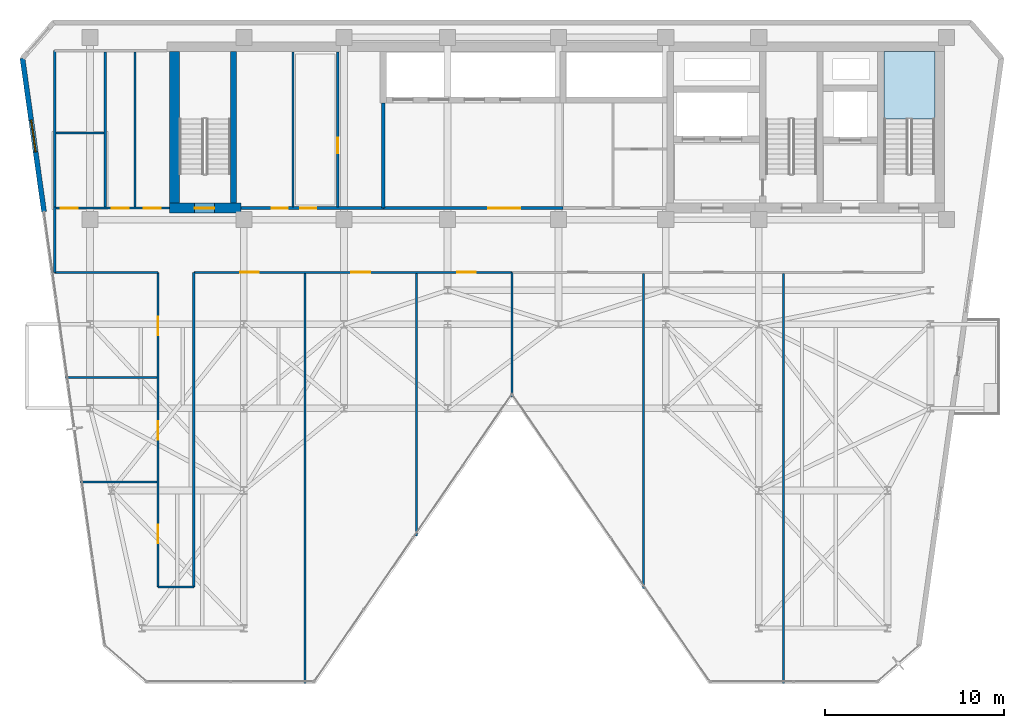
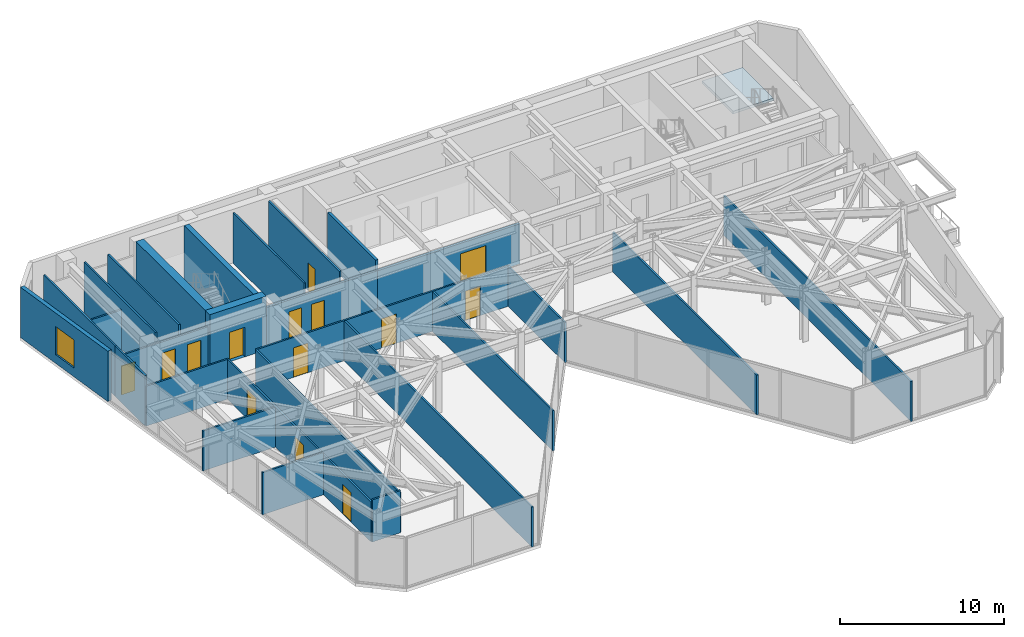
# One storey, part 22 of 27: 27 walls, 14 doors, 1 slab, 1 window, 15 openings, 1 element without a shape of its own.
"""IFC4 building model written with IfcOpenShell, lengths in metres."""

from ifc_helpers import new_model, si_unit, direction, frame, frame_2d, origin, place, context, subcontext, project, spatial, polyline, rectangle, outline, extrude, material, layer, layer_set, type_object, element, fill, aggregate, save


model = new_model("IFC4")

# Units and contexts
model_context = context("Model", 3, precision=1e-05, world=origin(), true_north=direction((0.0, 1.0)))
body_context = subcontext(model_context, "Body", "Model", "MODEL_VIEW")
ifc_project = project(units=[si_unit("LENGTHUNIT", "METRE"), si_unit("AREAUNIT", "SQUARE_METRE"), si_unit("VOLUMEUNIT", "CUBIC_METRE"), si_unit("PLANEANGLEUNIT", "RADIAN"), si_unit("MASSUNIT", "GRAM", prefix="KILO")], contexts=[model_context])

# Site, building, storey
site_placement = place(None, origin())
site = spatial("IfcSite", under=ifc_project, at=site_placement, CompositionType="ELEMENT")
building_placement = place(site_placement, origin())
building = spatial("IfcBuilding", under=site, at=building_placement, Name="Kravanh Interchange Tower", CompositionType="ELEMENT")
storey_placement = place(building_placement, frame((0.0, 0.0, 188.5)))
storey = spatial("IfcBuildingStorey", under=building, at=storey_placement, Name="L45", CompositionType="ELEMENT", Elevation=188.5)

# Stair, slab
ifc_material_1 = material(Name="Concrete C50/60", Category="concrete")
stair_type = type_object("IfcStairType", Name="Core Fire Exit Dogleg Stair Concrete C50/60", PredefinedType="HALF_TURN_STAIR", material=ifc_material_1)
stair_placement = place(storey_placement, origin())
stair = element("IfcStair", 1, at=stair_placement, inside=storey, type_object=stair_type, Name="L45 Exit Stair ST1", PredefinedType="HALF_TURN_STAIR")
ifc_material_2 = material(Name="Concrete C50/60", Category="concrete")
ifc_layer_1 = layer(ifc_material_2, 0.199951171875)
ifc_layer_set_1 = layer_set([ifc_layer_1], Name="Concrete C50/60 Stair Half-Landing Slab 200mm")
slab_type = type_object("IfcSlabType", Name="Concrete C50/60 Stair Half-Landing Slab 200mm", PredefinedType="LANDING", material=ifc_layer_set_1)
slab_placement = place(storey_placement, frame((0.0, 0.0, 1.800048828125)))
slab = element("IfcSlab", 2, at=slab_placement, type_object=slab_type, Name="ST1 landing 1", PredefinedType="LANDING", context=body_context, shape_type="SweptSolid", body=[
    extrude(outline(polyline([(65.85009765625, 42.97998046875), (65.85009765625, 46.75), (63.0, 46.75), (63.0, 42.97998046875), (65.85009765625, 42.97998046875)])), origin(), (0.0, 0.0, 1.0), 0.199951171875),
])
aggregate(stair, [slab])

# Wall
ifc_material_3 = material(Name="Double Acoustic Gypsum Board and Mineral Wool")
ifc_layer_2 = layer(ifc_material_3, 0.1201171875)
ifc_layer_set_2 = layer_set([ifc_layer_2], Name="Acoustic Office Drywall Partition 120mm")
wall_type_1 = type_object("IfcWallType", Name="Acoustic Office Drywall Partition 120mm", PredefinedType="PARTITIONING", material=ifc_layer_set_2)
wall_1_placement = place(storey_placement, frame((29.949951171875, 38.068115234375, 0.0), z_axis=(0.0, 0.0, 1.0), x_axis=(0.0, 1.0, 0.0)))
element("IfcWall", 3, at=wall_1_placement, inside=storey, type_object=wall_type_1, Name="L45 Interior Partition 6", PredefinedType="PARTITIONING", context=body_context, shape_type="SweptSolid", body=[
    extrude(rectangle(XDim=8.673828125, YDim=0.1201171875, at=frame_2d((4.3369140625, 0.0))), origin(), (0.0, 0.0, 1.0), 3.7548828125),
])

# Wall, opening, door
wall_2_placement = place(storey_placement, frame((32.449951171875, 38.068115234375, 0.0), z_axis=(0.0, 0.0, 1.0), x_axis=(0.0, 1.0, 0.0)))
wall_2 = element("IfcWall", 4, at=wall_2_placement, inside=storey, type_object=wall_type_1, Name="L45 Interior Partition 7", PredefinedType="PARTITIONING", context=body_context, shape_type="SweptSolid", body=[
    extrude(rectangle(XDim=8.673828125, YDim=0.1201171875, at=frame_2d((4.3369140625, 0.0))), origin(), (0.0, 0.0, 1.0), 3.7548828125),
])
opening_1_placement = place(wall_2_placement, frame((3.007080078125, 0.0, 0.0)))
opening_1 = element("IfcOpeningElement", 5, at=opening_1_placement, cuts=wall_2, Name="Opening D-85", PredefinedType="OPENING", context=body_context, shape_type="SweptSolid", body=[
    extrude(rectangle(XDim=0.85009765625, YDim=2.10009765625, at=frame_2d((0.425048828125, 1.050048828125))), frame((0.0, 0.070068359375, 0.0), z_axis=(0.0, -1.0, 0.0), x_axis=(1.0, 0.0, 0.0)), (0.0, 0.0, 1.0), 0.14013671875),
])
ifc_material_4 = material(Name="Engineered Teak Veneer Timber", Category="wood")
door_type_1 = type_object("IfcDoorType", Name="En-Suite Timber Door 850x2100", OperationType="NOTDEFINED", PredefinedType="DOOR", material=ifc_material_4)
door_1_placement = place(opening_1_placement, origin())
door_1 = element("IfcDoor", 6, at=door_1_placement, inside=storey, type_object=door_type_1, Name="L45 Supply Room Inner Door", OperationType="SINGLE_SWING_LEFT", OverallHeight=2.10009765625, OverallWidth=0.85009765625, PredefinedType="DOOR", context=body_context, shape_type="SweptSolid", body=[
    extrude(rectangle(XDim=0.85009765625, YDim=2.10009765625, at=frame_2d((0.425048828125, 1.050048828125))), frame((0.0, 0.02490234375, 0.0), z_axis=(0.0, -1.0, 0.0), x_axis=(1.0, 0.0, 0.0)), (0.0, 0.0, 1.0), 0.050048828125),
])
fill(opening_1, door_1)

# Wall, openings, doors
wall_3_placement = place(storey_placement, frame((16.6201171875, 38.0, 0.0), z_axis=(0.0, 0.0, 1.0), x_axis=(1.0, 0.0, 0.0)))
wall_3 = element("IfcWall", 7, at=wall_3_placement, inside=storey, type_object=wall_type_1, Name="L45 Restroom Corridor Wall 9", PredefinedType="PARTITIONING", context=body_context, shape_type="SweptSolid", body=[
    extrude(rectangle(XDim=6.429931640625, YDim=0.1201171875, at=frame_2d((3.21484375, 0.0))), origin(), (0.0, 0.0, 1.0), 2.98193359375),
])
opening_2_placement = place(wall_3_placement, frame((0.348876953125, 0.0, 0.0)))
opening_2 = element("IfcOpeningElement", 8, at=opening_2_placement, cuts=wall_3, Name="Opening D-95", PredefinedType="OPENING", context=body_context, shape_type="SweptSolid", body=[
    extrude(rectangle(XDim=0.949951171875, YDim=2.14990234375, at=frame_2d((0.47509765625, 1.074951171875))), frame((0.0, 0.070068359375, 0.0), z_axis=(0.0, -1.0, 0.0), x_axis=(1.0, 0.0, 0.0)), (0.0, 0.0, 1.0), 0.14013671875),
])
opening_3_placement = place(wall_3_placement, frame((3.18505859375, 0.0, 0.0)))
opening_3 = element("IfcOpeningElement", 9, at=opening_3_placement, cuts=wall_3, Name="Opening D-95", PredefinedType="OPENING", context=body_context, shape_type="SweptSolid", body=[
    extrude(rectangle(XDim=0.949951171875, YDim=2.14990234375, at=frame_2d((0.47509765625, 1.074951171875))), frame((0.0, 0.070068359375, 0.0), z_axis=(0.0, -1.0, 0.0), x_axis=(1.0, 0.0, 0.0)), (0.0, 0.0, 1.0), 0.14013671875),
])
opening_4_placement = place(wall_3_placement, frame((4.97509765625, 0.0, 0.0)))
opening_4 = element("IfcOpeningElement", 10, at=opening_4_placement, cuts=wall_3, Name="Opening D-95", PredefinedType="OPENING", context=body_context, shape_type="SweptSolid", body=[
    extrude(rectangle(XDim=0.949951171875, YDim=2.14990234375, at=frame_2d((0.47509765625, 1.074951171875))), frame((0.0, 0.070068359375, 0.0), z_axis=(0.0, -1.0, 0.0), x_axis=(1.0, 0.0, 0.0)), (0.0, 0.0, 1.0), 0.14013671875),
])
ifc_material_5 = material(Name="Laminate Solid-Core Timber", Category="wood")
door_type_2 = type_object("IfcDoorType", Name="Accessible Restroom Door 950x2150", OperationType="NOTDEFINED", PredefinedType="DOOR", material=ifc_material_5)
door_2_placement = place(opening_2_placement, origin())
door_2 = element("IfcDoor", 11, at=door_2_placement, inside=storey, type_object=door_type_2, Name="L45 Accessible WC Door", OperationType="SINGLE_SWING_RIGHT", OverallHeight=2.14990234375, OverallWidth=0.949951171875, PredefinedType="DOOR", context=body_context, shape_type="SweptSolid", body=[
    extrude(rectangle(XDim=0.949951171875, YDim=2.14990234375, at=frame_2d((0.47509765625, 1.074951171875))), frame((0.0, 0.02490234375, 0.0), z_axis=(0.0, -1.0, 0.0), x_axis=(1.0, 0.0, 0.0)), (0.0, 0.0, 1.0), 0.050048828125),
])
fill(opening_2, door_2)
door_3_placement = place(opening_3_placement, origin())
door_3 = element("IfcDoor", 12, at=door_3_placement, inside=storey, type_object=door_type_2, Name="L45 Female WC Door", OperationType="SINGLE_SWING_LEFT", OverallHeight=2.14990234375, OverallWidth=0.949951171875, PredefinedType="DOOR", context=body_context, shape_type="SweptSolid", body=[
    extrude(rectangle(XDim=0.949951171875, YDim=2.14990234375, at=frame_2d((0.47509765625, 1.074951171875))), frame((0.0, 0.02490234375, 0.0), z_axis=(0.0, -1.0, 0.0), x_axis=(1.0, 0.0, 0.0)), (0.0, 0.0, 1.0), 0.050048828125),
])
fill(opening_3, door_3)
door_4_placement = place(opening_4_placement, origin())
door_4 = element("IfcDoor", 13, at=door_4_placement, inside=storey, type_object=door_type_2, Name="L45 Male WC Door", OperationType="SINGLE_SWING_RIGHT", OverallHeight=2.14990234375, OverallWidth=0.949951171875, PredefinedType="DOOR", context=body_context, shape_type="SweptSolid", body=[
    extrude(rectangle(XDim=0.949951171875, YDim=2.14990234375, at=frame_2d((0.47509765625, 1.074951171875))), frame((0.0, 0.02490234375, 0.0), z_axis=(0.0, -1.0, 0.0), x_axis=(1.0, 0.0, 0.0)), (0.0, 0.0, 1.0), 0.050048828125),
])
fill(opening_4, door_4)

# Walls
wall_4_placement = place(storey_placement, frame((16.6201171875, 38.0, 0.0), z_axis=(0.0, 0.0, 1.0), x_axis=(0.0, 1.0, 0.0)))
element("IfcWall", 14, at=wall_4_placement, inside=storey, type_object=wall_type_1, Name="L45 Restroom West Enclosure 10", PredefinedType="PARTITIONING", context=body_context, shape_type="SweptSolid", body=[
    extrude(rectangle(XDim=8.800048828125, YDim=0.1201171875, at=frame_2d((4.39990234375, 0.0))), origin(), (0.0, 0.0, 1.0), 3.7548828125),
])
for number, where, z_axis, x_axis, name in (
    (15, (19.449951171875, 38.068115234375, 0.0), (0.0, 0.0, 1.0), (0.0, 1.0, 0.0), "L45 Interior Partition 12"),
    (16, (21.110107421875, 38.068115234375, 0.0), (0.0, 0.0, 1.0), (0.0, 1.0, 0.0), "L45 Interior Partition 13"),
):
    element("IfcWall", number, at=place(storey_placement, frame(where, z_axis=z_axis, x_axis=x_axis)), inside=storey, type_object=wall_type_1, Name=name, PredefinedType="PARTITIONING", context=body_context, shape_type="SweptSolid", body=[
        extrude(rectangle(XDim=8.663818359375, YDim=0.1201171875, at=frame_2d((4.33203125, 0.0))), origin(), (0.0, 0.0, 1.0), 3.7548828125),
    ])
wall_5_placement = place(storey_placement, frame((16.68798828125, 42.199951171875, 0.0), z_axis=(0.0, 0.0, 1.0), x_axis=(1.0, 0.0, 0.0)))
element("IfcWall", 17, at=wall_5_placement, inside=storey, type_object=wall_type_1, Name="L45 Interior Partition 14", PredefinedType="PARTITIONING", context=body_context, shape_type="SweptSolid", body=[
    extrude(rectangle(XDim=2.694091796875, YDim=0.1201171875, at=frame_2d((1.34716796875, 0.0))), origin(), (0.0, 0.0, 1.0), 2.98193359375),
])
wall_6_placement = place(storey_placement, frame((16.6201171875, 34.39990234375, 0.0), z_axis=(0.0, 0.0, 1.0), x_axis=(1.0, 0.0, 0.0)))
element("IfcWall", 18, at=wall_6_placement, inside=storey, type_object=wall_type_1, Name="L45 Interior Partition 15", PredefinedType="PARTITIONING", context=body_context, shape_type="SweptSolid", body=[
    extrude(rectangle(XDim=5.77978515625, YDim=0.1201171875, at=frame_2d((2.889892578125, 0.0))), origin(), (0.0, 0.0, 1.0), 2.98193359375),
])

# Wall, openings, doors
wall_7_placement = place(storey_placement, frame((24.39990234375, 34.39990234375, 0.0), z_axis=(0.0, 0.0, 1.0), x_axis=(1.0, 0.0, 0.0)))
wall_7 = element("IfcWall", 19, at=wall_7_placement, inside=storey, type_object=wall_type_1, Name="L45 Interior Partition 16", PredefinedType="PARTITIONING", context=body_context, shape_type="SweptSolid", body=[
    extrude(rectangle(XDim=17.800048828125, YDim=0.1201171875, at=frame_2d((8.89990234375, 0.0))), origin(), (0.0, 0.0, 1.0), 2.98193359375),
])
opening_5_placement = place(wall_7_placement, frame((2.590087890625, 0.0, 0.0)))
opening_5 = element("IfcOpeningElement", 20, at=opening_5_placement, cuts=wall_7, Name="Opening D-105", PredefinedType="OPENING", context=body_context, shape_type="SweptSolid", body=[
    extrude(rectangle(XDim=1.050048828125, YDim=2.199951171875, at=frame_2d((0.52490234375, 1.10009765625))), frame((0.0, 0.070068359375, 0.0), z_axis=(0.0, -1.0, 0.0), x_axis=(1.0, 0.0, 0.0)), (0.0, 0.0, 1.0), 0.14013671875),
])
opening_6_placement = place(wall_7_placement, frame((8.820068359375, 0.0, 0.0)))
opening_6 = element("IfcOpeningElement", 21, at=opening_6_placement, cuts=wall_7, Name="Opening D-105", PredefinedType="OPENING", context=body_context, shape_type="SweptSolid", body=[
    extrude(rectangle(XDim=1.050048828125, YDim=2.199951171875, at=frame_2d((0.52490234375, 1.10009765625))), frame((0.0, 0.070068359375, 0.0), z_axis=(0.0, -1.0, 0.0), x_axis=(1.0, 0.0, 0.0)), (0.0, 0.0, 1.0), 0.14013671875),
])
opening_7_placement = place(wall_7_placement, frame((14.72607421875, 0.0, 0.0)))
opening_7 = element("IfcOpeningElement", 22, at=opening_7_placement, cuts=wall_7, Name="Opening D-105", PredefinedType="OPENING", context=body_context, shape_type="SweptSolid", body=[
    extrude(rectangle(XDim=1.050048828125, YDim=2.199951171875, at=frame_2d((0.52490234375, 1.10009765625))), frame((0.0, 0.070068359375, 0.0), z_axis=(0.0, -1.0, 0.0), x_axis=(1.0, 0.0, 0.0)), (0.0, 0.0, 1.0), 0.14013671875),
])
ifc_material_6 = material(Name="Acoustic Glazed Oak and Aluminium", Category="aluminium")
door_type_3 = type_object("IfcDoorType", Name="Office Workplace Door 1050x2200", OperationType="NOTDEFINED", PredefinedType="DOOR", material=ifc_material_6)
door_5_placement = place(opening_5_placement, origin())
door_5 = element("IfcDoor", 23, at=door_5_placement, inside=storey, type_object=door_type_3, Name="L45 Meeting Room 11A Door", OperationType="SINGLE_SWING_RIGHT", OverallHeight=2.199951171875, OverallWidth=1.050048828125, PredefinedType="DOOR", context=body_context, shape_type="SweptSolid", body=[
    extrude(rectangle(XDim=1.050048828125, YDim=2.199951171875, at=frame_2d((0.52490234375, 1.10009765625))), frame((0.0, 0.02490234375, 0.0), z_axis=(0.0, -1.0, 0.0), x_axis=(1.0, 0.0, 0.0)), (0.0, 0.0, 1.0), 0.050048828125),
])
fill(opening_5, door_5)
door_6_placement = place(opening_6_placement, origin())
door_6 = element("IfcDoor", 24, at=door_6_placement, inside=storey, type_object=door_type_3, Name="L45 Meeting Room 11B Door", OperationType="SINGLE_SWING_LEFT", OverallHeight=2.199951171875, OverallWidth=1.050048828125, PredefinedType="DOOR", context=body_context, shape_type="SweptSolid", body=[
    extrude(rectangle(XDim=1.050048828125, YDim=2.199951171875, at=frame_2d((0.52490234375, 1.10009765625))), frame((0.0, 0.02490234375, 0.0), z_axis=(0.0, -1.0, 0.0), x_axis=(1.0, 0.0, 0.0)), (0.0, 0.0, 1.0), 0.050048828125),
])
fill(opening_6, door_6)
door_7_placement = place(opening_7_placement, origin())
door_7 = element("IfcDoor", 25, at=door_7_placement, inside=storey, type_object=door_type_3, Name="L45 Townhall Lounge 11A Door", OperationType="SINGLE_SWING_RIGHT", OverallHeight=2.199951171875, OverallWidth=1.050048828125, PredefinedType="DOOR", context=body_context, shape_type="SweptSolid", body=[
    extrude(rectangle(XDim=1.050048828125, YDim=2.199951171875, at=frame_2d((0.52490234375, 1.10009765625))), frame((0.0, 0.02490234375, 0.0), z_axis=(0.0, -1.0, 0.0), x_axis=(1.0, 0.0, 0.0)), (0.0, 0.0, 1.0), 0.050048828125),
])
fill(opening_7, door_7)

# Wall
wall_8_placement = place(storey_placement, frame((16.6201171875, 34.39990234375, 0.0), z_axis=(0.0, 0.0, 1.0), x_axis=(0.0, 1.0, 0.0)))
element("IfcWall", 26, at=wall_8_placement, inside=storey, type_object=wall_type_1, Name="L45 Interior Partition 18", PredefinedType="PARTITIONING", context=body_context, shape_type="SweptSolid", body=[
    extrude(rectangle(XDim=3.650146484375, YDim=0.1201171875, at=frame_2d((1.8251953125, 0.0))), origin(), (0.0, 0.0, 1.0), 3.7548828125),
])

# Wall, openings, doors
wall_9_placement = place(storey_placement, frame((22.39990234375, 16.800048828125, 0.0), z_axis=(0.0, 0.0, 1.0), x_axis=(0.0, 1.0, 0.0)))
wall_9 = element("IfcWall", 27, at=wall_9_placement, inside=storey, type_object=wall_type_1, Name="L45 Interior Partition 20", PredefinedType="PARTITIONING", context=body_context, shape_type="SweptSolid", body=[
    extrude(rectangle(XDim=17.599853515625, YDim=0.1201171875, at=frame_2d((8.7998046875, 0.0))), origin(), (0.0, 0.0, 1.0), 2.98193359375),
])
opening_8_placement = place(wall_9_placement, frame((2.450439453125, 0.0, 0.0)))
opening_8 = element("IfcOpeningElement", 28, at=opening_8_placement, cuts=wall_9, Name="Opening D-105", PredefinedType="OPENING", context=body_context, shape_type="SweptSolid", body=[
    extrude(rectangle(XDim=1.050048828125, YDim=2.199951171875, at=frame_2d((0.52490234375, 1.10009765625))), frame((0.0, 0.070068359375, 0.0), z_axis=(0.0, -1.0, 0.0), x_axis=(1.0, 0.0, 0.0)), (0.0, 0.0, 1.0), 0.14013671875),
])
opening_9_placement = place(wall_9_placement, frame((8.234619140625, 0.0, 0.0)))
opening_9 = element("IfcOpeningElement", 29, at=opening_9_placement, cuts=wall_9, Name="Opening D-105", PredefinedType="OPENING", context=body_context, shape_type="SweptSolid", body=[
    extrude(rectangle(XDim=1.050048828125, YDim=2.199951171875, at=frame_2d((0.52490234375, 1.10009765625))), frame((0.0, 0.070068359375, 0.0), z_axis=(0.0, -1.0, 0.0), x_axis=(1.0, 0.0, 0.0)), (0.0, 0.0, 1.0), 0.14013671875),
])
opening_10_placement = place(wall_9_placement, frame((14.074951171875, 0.0, 0.0)))
opening_10 = element("IfcOpeningElement", 30, at=opening_10_placement, cuts=wall_9, Name="Opening D-105", PredefinedType="OPENING", context=body_context, shape_type="SweptSolid", body=[
    extrude(rectangle(XDim=1.050048828125, YDim=2.199951171875, at=frame_2d((0.52490234375, 1.10009765625))), frame((0.0, 0.070068359375, 0.0), z_axis=(0.0, -1.0, 0.0), x_axis=(1.0, 0.0, 0.0)), (0.0, 0.0, 1.0), 0.14013671875),
])
door_8_placement = place(opening_8_placement, origin())
door_8 = element("IfcDoor", 31, at=door_8_placement, inside=storey, type_object=door_type_3, Name="L45 SW Seminar Meeting 11E Door", OperationType="SINGLE_SWING_LEFT", OverallHeight=2.199951171875, OverallWidth=1.050048828125, PredefinedType="DOOR", context=body_context, shape_type="SweptSolid", body=[
    extrude(rectangle(XDim=1.050048828125, YDim=2.199951171875, at=frame_2d((0.52490234375, 1.10009765625))), frame((0.0, 0.02490234375, 0.0), z_axis=(0.0, -1.0, 0.0), x_axis=(1.0, 0.0, 0.0)), (0.0, 0.0, 1.0), 0.050048828125),
])
fill(opening_8, door_8)
door_9_placement = place(opening_9_placement, origin())
door_9 = element("IfcDoor", 32, at=door_9_placement, inside=storey, type_object=door_type_3, Name="L45 West Boardroom 11F Door", OperationType="SINGLE_SWING_RIGHT", OverallHeight=2.199951171875, OverallWidth=1.050048828125, PredefinedType="DOOR", context=body_context, shape_type="SweptSolid", body=[
    extrude(rectangle(XDim=1.050048828125, YDim=2.199951171875, at=frame_2d((0.52490234375, 1.10009765625))), frame((0.0, 0.02490234375, 0.0), z_axis=(0.0, -1.0, 0.0), x_axis=(1.0, 0.0, 0.0)), (0.0, 0.0, 1.0), 0.050048828125),
])
fill(opening_9, door_9)
door_10_placement = place(opening_10_placement, origin())
door_10 = element("IfcDoor", 33, at=door_10_placement, inside=storey, type_object=door_type_3, Name="L45 Tea Kitchenette Door", OperationType="SINGLE_SWING_LEFT", OverallHeight=2.199951171875, OverallWidth=1.050048828125, PredefinedType="DOOR", context=body_context, shape_type="SweptSolid", body=[
    extrude(rectangle(XDim=1.050048828125, YDim=2.199951171875, at=frame_2d((0.52490234375, 1.10009765625))), frame((0.0, 0.02490234375, 0.0), z_axis=(0.0, -1.0, 0.0), x_axis=(1.0, 0.0, 0.0)), (0.0, 0.0, 1.0), 0.050048828125),
])
fill(opening_10, door_10)

# Walls
wall_10_placement = place(storey_placement, frame((24.39990234375, 16.800048828125, 0.0), z_axis=(0.0, 0.0, 1.0), x_axis=(0.0, 1.0, 0.0)))
element("IfcWall", 34, at=wall_10_placement, inside=storey, type_object=wall_type_1, Name="L45 Interior Partition 21", PredefinedType="PARTITIONING", context=body_context, shape_type="SweptSolid", body=[
    extrude(rectangle(XDim=17.599853515625, YDim=0.1201171875, at=frame_2d((8.7998046875, 0.0))), origin(), (0.0, 0.0, 1.0), 2.98193359375),
])
wall_11_placement = place(storey_placement, frame((22.39990234375, 16.800048828125, 0.0), z_axis=(0.0, 0.0, 1.0), x_axis=(1.0, 0.0, 0.0)))
element("IfcWall", 35, at=wall_11_placement, inside=storey, type_object=wall_type_1, Name="L45 Interior Partition 22", PredefinedType="PARTITIONING", context=body_context, shape_type="SweptSolid", body=[
    extrude(rectangle(XDim=2.0, YDim=0.1201171875, at=frame_2d((1.0, 0.0))), origin(), (0.0, 0.0, 1.0), 3.14697265625),
])
wall_12_placement = place(storey_placement, frame((18.04541015625, 22.669921875, 0.0), z_axis=(0.0, 0.0, 1.0), x_axis=(1.0, 0.0, 0.0)))
element("IfcWall", 36, at=wall_12_placement, inside=storey, type_object=wall_type_1, Name="L45 Interior Partition 23", PredefinedType="PARTITIONING", context=body_context, shape_type="SweptSolid", body=[
    extrude(rectangle(XDim=4.28662109375, YDim=0.1201171875, at=frame_2d((2.143310546875, 0.0))), origin(), (0.0, 0.0, 1.0), 3.14697265625),
])
wall_13_placement = place(storey_placement, frame((17.2216796875, 28.530029296875, 0.0), z_axis=(0.0, 0.0, 1.0), x_axis=(1.0, 0.0, 0.0)))
element("IfcWall", 37, at=wall_13_placement, inside=storey, type_object=wall_type_1, Name="L45 Interior Partition 24", PredefinedType="PARTITIONING", context=body_context, shape_type="SweptSolid", body=[
    extrude(rectangle(XDim=5.1103515625, YDim=0.1201171875, at=frame_2d((2.55517578125, 0.0))), origin(), (0.0, 0.0, 1.0), 2.98193359375),
])
wall_14_placement = place(storey_placement, frame((42.199951171875, 27.426513671875, 0.0), z_axis=(0.0, 0.0, 1.0), x_axis=(0.0, 1.0, 0.0)))
element("IfcWall", 38, at=wall_14_placement, inside=storey, type_object=wall_type_1, Name="L45 Interior Partition 25", PredefinedType="PARTITIONING", context=body_context, shape_type="SweptSolid", body=[
    extrude(rectangle(XDim=6.973388671875, YDim=0.1201171875, at=frame_2d((3.48681640625, 0.0))), origin(), (0.0, 0.0, 1.0), 2.98193359375),
])
wall_15_placement = place(storey_placement, frame((30.6298828125, 11.4150390625, 0.0), z_axis=(0.0, 0.0, 1.0), x_axis=(0.0, 1.0, 0.0)))
element("IfcWall", 39, at=wall_15_placement, inside=storey, type_object=wall_type_1, Name="L45 Interior Partition 26", PredefinedType="PARTITIONING", context=body_context, shape_type="SweptSolid", body=[
    extrude(rectangle(XDim=22.9169921875, YDim=0.1201171875, at=frame_2d((11.45849609375, 0.0))), origin(), (0.0, 0.0, 1.0), 2.98193359375),
])
wall_16_placement = place(storey_placement, frame((36.860107421875, 19.6591796875, 0.0), z_axis=(0.0, 0.0, 1.0), x_axis=(0.0, 1.0, 0.0)))
element("IfcWall", 40, at=wall_16_placement, inside=storey, type_object=wall_type_1, Name="L45 Interior Partition 27", PredefinedType="PARTITIONING", context=body_context, shape_type="SweptSolid", body=[
    extrude(rectangle(XDim=14.6728515625, YDim=0.1201171875, at=frame_2d((7.33642578125, 0.0))), origin(), (0.0, 0.0, 1.0), 2.98193359375),
])
wall_17_placement = place(storey_placement, frame((49.56005859375, 16.720947265625, 0.0), z_axis=(0.0, 0.0, 1.0), x_axis=(0.0, 1.0, 0.0)))
element("IfcWall", 41, at=wall_17_placement, inside=storey, type_object=wall_type_1, Name="L45 Interior Partition 28", PredefinedType="PARTITIONING", context=body_context, shape_type="SweptSolid", body=[
    extrude(rectangle(XDim=17.611083984375, YDim=0.1201171875, at=frame_2d((8.8056640625, 0.0))), origin(), (0.0, 0.0, 1.0), 2.98193359375),
])
wall_18_placement = place(storey_placement, frame((57.3798828125, 11.4150390625, 0.0), z_axis=(0.0, 0.0, 1.0), x_axis=(0.0, 1.0, 0.0)))
element("IfcWall", 42, at=wall_18_placement, inside=storey, type_object=wall_type_1, Name="L45 Interior Partition 29", PredefinedType="PARTITIONING", context=body_context, shape_type="SweptSolid", body=[
    extrude(rectangle(XDim=22.9169921875, YDim=0.1201171875, at=frame_2d((11.45849609375, 0.0))), origin(), (0.0, 0.0, 1.0), 2.98193359375),
])
ifc_material_7 = material(Name="Concrete C60/75", Category="concrete")
ifc_layer_3 = layer(ifc_material_7, 0.35009765625)
ifc_layer_set_3 = layer_set([ifc_layer_3], Name="Core Shear Wall Concrete C60/75 350mm")
wall_type_2 = type_object("IfcWallType", Name="Core Shear Wall Concrete C60/75 350mm", PredefinedType="SHEAR", material=ifc_layer_set_3)
wall_19_placement = place(storey_placement, frame((26.625, 38.27490234375, 0.0), z_axis=(0.0, 0.0, 1.0), x_axis=(0.0, 1.0, 0.0)))
element("IfcWall", 43, at=wall_19_placement, inside=storey, type_object=wall_type_2, Name="L45 Stair ST3 East Shear Wall", PredefinedType="SHEAR", context=body_context, shape_type="SweptSolid", body=[
    extrude(rectangle(XDim=8.47509765625, YDim=0.35009765625, at=frame_2d((4.237548828125, 0.0))), origin(), (0.0, 0.0, 1.0), 4.0),
])

# Wall, opening, door
ifc_material_8 = material(Name="Concrete C70/85", Category="concrete")
ifc_layer_4 = layer(ifc_material_8, 0.550048828125)
ifc_layer_set_4 = layer_set([ifc_layer_4], Name="Core Shear Wall Concrete C70/85 550mm")
wall_type_3 = type_object("IfcWallType", Name="Core Shear Wall Concrete C70/85 550mm", PredefinedType="SHEAR", material=ifc_layer_set_4)
wall_20_placement = place(storey_placement, frame((23.050048828125, 38.0, 0.0), z_axis=(0.0, 0.0, 1.0), x_axis=(1.0, 0.0, 0.0)))
wall_20 = element("IfcWall", 44, at=wall_20_placement, inside=storey, type_object=wall_type_3, Name="L45 Stair ST3 South Shear Wall", PredefinedType="SHEAR", context=body_context, shape_type="SweptSolid", body=[
    extrude(rectangle(XDim=4.0, YDim=0.550048828125, at=frame_2d((2.0, 0.0))), origin(), (0.0, 0.0, 1.0), 4.0),
])
opening_11_placement = place(wall_20_placement, frame((1.39990234375, 0.0, 0.0)))
opening_11 = element("IfcOpeningElement", 45, at=opening_11_placement, cuts=wall_20, Name="Opening D-STAIR-110", PredefinedType="OPENING", context=body_context, shape_type="SweptSolid", body=[
    extrude(rectangle(XDim=1.10009765625, YDim=2.199951171875, at=frame_2d((0.550048828125, 1.10009765625))), frame((0.0, 0.28515625, 0.0), z_axis=(0.0, -1.0, 0.0), x_axis=(1.0, 0.0, 0.0)), (0.0, 0.0, 1.0), 0.570068359375),
])
ifc_material_9 = material(Name="Structural Steel S355", Category="steel")
door_type_4 = type_object("IfcDoorType", Name="Fire-Rated Exit Stair Door 1100x2200", OperationType="NOTDEFINED", PredefinedType="DOOR", material=ifc_material_9)
door_11_placement = place(opening_11_placement, origin())
door_11 = element("IfcDoor", 46, at=door_11_placement, inside=storey, type_object=door_type_4, Name="L45 Exit Stair ST3 Door", OperationType="SINGLE_SWING_RIGHT", OverallHeight=2.199951171875, OverallWidth=1.10009765625, PredefinedType="DOOR", context=body_context, shape_type="SweptSolid", body=[
    extrude(rectangle(XDim=1.10009765625, YDim=2.199951171875, at=frame_2d((0.550048828125, 1.10009765625))), frame((0.0, 0.02490234375, 0.0), z_axis=(0.0, -1.0, 0.0), x_axis=(1.0, 0.0, 0.0)), (0.0, 0.0, 1.0), 0.050048828125),
])
fill(opening_11, door_11)

# Wall
wall_21_placement = place(storey_placement, frame((23.324951171875, 38.27490234375, 0.0), z_axis=(0.0, 0.0, 1.0), x_axis=(0.0, 1.0, 0.0)))
element("IfcWall", 47, at=wall_21_placement, inside=storey, type_object=wall_type_3, Name="L45 Stair ST3 West Shear Wall", PredefinedType="SHEAR", context=body_context, shape_type="SweptSolid", body=[
    extrude(rectangle(XDim=8.47509765625, YDim=0.550048828125, at=frame_2d((4.237548828125, 0.0))), origin(), (0.0, 0.0, 1.0), 4.0),
])

# Wall, opening, window
ifc_material_10 = material(Name="Insulated Precast Concrete C40/50 with Bronze Cladding", Category="concrete")
ifc_layer_5 = layer(ifc_material_10, 0.280029296875)
ifc_layer_set_5 = layer_set([ifc_layer_5], Name="Exterior Insulated Concrete C40/50 Bronze Spandrel Wall 280mm")
wall_type_4 = type_object("IfcWallType", Name="Exterior Insulated Concrete C40/50 Bronze Spandrel Wall 280mm", PredefinedType="STANDARD", material=ifc_layer_set_5)
wall_22_placement = place(storey_placement, frame((16.02490234375, 37.800048828125, 0.0), z_axis=(0.0, 0.0, 1.0), x_axis=(-0.13918102754, 0.990266954701, 0.0)))
wall_22 = element("IfcWall", 48, at=wall_22_placement, inside=storey, type_object=wall_type_4, Name="L45 Exterior Wall 1", PredefinedType="STANDARD", context=body_context, shape_type="SweptSolid", body=[
    extrude(rectangle(XDim=8.667236328125, YDim=0.280029296875, at=frame_2d((4.33349609375, 0.0))), origin(), (0.0, 0.0, 1.0), 3.7548828125),
])
opening_12_placement = place(wall_22_placement, frame((3.37353515625, 0.0, 0.64990234375)))
opening_12 = element("IfcOpeningElement", 49, at=opening_12_placement, cuts=wall_22, Name="Opening WN-180X210", PredefinedType="OPENING", context=body_context, shape_type="SweptSolid", body=[
    extrude(rectangle(XDim=1.800048828125, YDim=2.10009765625, at=frame_2d((0.89990234375, 1.050048828125))), frame((0.0, 0.14990234375, 0.0), z_axis=(0.0, -1.0, 0.0), x_axis=(1.0, 0.0, 0.0)), (0.0, 0.0, 1.0), 0.300048828125),
])
ifc_material_11 = material(Name="Thermally Broken Bronze Aluminium and Low-E Glass", Category="aluminium")
window_type = type_object("IfcWindowType", Name="Tower Pier Window 1800x2100", PartitioningType="SINGLE_PANEL", PredefinedType="WINDOW", material=ifc_material_11)
window_placement = place(opening_12_placement, origin())
window = element("IfcWindow", 50, at=window_placement, inside=storey, type_object=window_type, Name="L45 Corner Window 1", OverallHeight=2.10009765625, OverallWidth=1.800048828125, PartitioningType="SINGLE_PANEL", PredefinedType="WINDOW", context=body_context, shape_type="SweptSolid", body=[
    extrude(rectangle(XDim=1.800048828125, YDim=2.10009765625, at=frame_2d((0.89990234375, 1.050048828125))), frame((0.0, 0.030029296875, 0.0), z_axis=(0.0, -1.0, 0.0), x_axis=(1.0, 0.0, 0.0)), (0.0, 0.0, 1.0), 0.06005859375),
])
fill(opening_12, window)

# Wall
ifc_material_12 = material(Name="Autoclaved Aerated Concrete C30/37 Blockwork", Category="masonry")
ifc_layer_6 = layer(ifc_material_12, 0.179931640625)
ifc_layer_set_6 = layer_set([ifc_layer_6], Name="Fire-Rated Lobby and Corridor Wall Concrete C30/37 180mm")
wall_type_5 = type_object("IfcWallType", Name="Fire-Rated Lobby and Corridor Wall Concrete C30/37 180mm", PredefinedType="STANDARD", material=ifc_layer_set_6)
wall_23_placement = place(storey_placement, frame((35.0, 38.0, 0.0), z_axis=(0.0, 0.0, 1.0), x_axis=(0.0, 1.0, 0.0)))
element("IfcWall", 51, at=wall_23_placement, inside=storey, type_object=wall_type_5, Name="L45 Interior Partition 5", PredefinedType="STANDARD", context=body_context, shape_type="SweptSolid", body=[
    extrude(rectangle(XDim=5.875, YDim=0.179931640625, at=frame_2d((2.9375, 0.0))), origin(), (0.0, 0.0, 1.0), 3.7548828125),
])

# Wall, opening, door
wall_24_placement = place(storey_placement, frame((35.0, 38.0, 0.0), z_axis=(0.0, 0.0, 1.0), x_axis=(1.0, 0.0, 0.0)))
wall_24 = element("IfcWall", 52, at=wall_24_placement, inside=storey, type_object=wall_type_5, Name="L45 Interior Partition 8", PredefinedType="STANDARD", context=body_context, shape_type="SweptSolid", body=[
    extrude(rectangle(XDim=10.050048828125, YDim=0.179931640625, at=frame_2d((5.02490234375, 0.0))), origin(), (0.0, 0.0, 1.0), 2.98193359375),
])
opening_13_placement = place(wall_24_placement, frame((5.85791015625, 0.0, 0.0)))
opening_13 = element("IfcOpeningElement", 53, at=opening_13_placement, cuts=wall_24, Name="Opening DBL-180", PredefinedType="OPENING", context=body_context, shape_type="SweptSolid", body=[
    extrude(rectangle(XDim=1.800048828125, YDim=2.199951171875, at=frame_2d((0.89990234375, 1.10009765625))), frame((0.0, 0.10009765625, 0.0), z_axis=(0.0, -1.0, 0.0), x_axis=(1.0, 0.0, 0.0)), (0.0, 0.0, 1.0), 0.199951171875),
])
ifc_material_13 = material(Name="Structural Steel S355", Category="steel")
door_type_5 = type_object("IfcDoorType", Name="Lift Lobby Double Fire Door 1800x2200", OperationType="DOUBLE_DOOR_SINGLE_SWING", PredefinedType="DOOR", material=ifc_material_13)
door_12_placement = place(opening_13_placement, origin())
door_12 = element("IfcDoor", 54, at=door_12_placement, inside=storey, type_object=door_type_5, Name="L45 Mid-Rise Lift Lobby Door", OperationType="DOUBLE_DOOR_SINGLE_SWING", OverallHeight=2.199951171875, OverallWidth=1.800048828125, PredefinedType="DOOR", context=body_context, shape_type="SweptSolid", body=[
    extrude(rectangle(XDim=1.800048828125, YDim=2.199951171875, at=frame_2d((0.89990234375, 1.10009765625))), frame((0.0, 0.02490234375, 0.0), z_axis=(0.0, -1.0, 0.0), x_axis=(1.0, 0.0, 0.0)), (0.0, 0.0, 1.0), 0.050048828125),
])
fill(opening_13, door_12)

# Wall, openings, doors
ifc_material_14 = material(Name="Twin Stud Acoustic Gypsum Board Wall")
ifc_layer_7 = layer(ifc_material_14, 0.14990234375)
ifc_layer_set_7 = layer_set([ifc_layer_7], Name="Medium-Duty Acoustic Partition 150mm")
wall_type_6 = type_object("IfcWallType", Name="Medium-Duty Acoustic Partition 150mm", PredefinedType="PARTITIONING", material=ifc_layer_set_7)
wall_25_placement = place(storey_placement, frame((27.050048828125, 38.0, 0.0), z_axis=(0.0, 0.0, 1.0), x_axis=(1.0, 0.0, 0.0)))
wall_25 = element("IfcWall", 55, at=wall_25_placement, inside=storey, type_object=wall_type_6, Name="L45 Interior Partition 4", PredefinedType="PARTITIONING", context=body_context, shape_type="SweptSolid", body=[
    extrude(rectangle(XDim=7.949951171875, YDim=0.14990234375, at=frame_2d((3.97509765625, 0.0))), origin(), (0.0, 0.0, 1.0), 2.98193359375),
])
opening_14_placement = place(wall_25_placement, frame((1.699951171875, 0.0, 0.0)))
opening_14 = element("IfcOpeningElement", 56, at=opening_14_placement, cuts=wall_25, Name="Opening D-90", PredefinedType="OPENING", context=body_context, shape_type="SweptSolid", body=[
    extrude(rectangle(XDim=0.89990234375, YDim=2.10009765625, at=frame_2d((0.449951171875, 1.050048828125))), frame((0.0, 0.0849609375, 0.0), z_axis=(0.0, -1.0, 0.0), x_axis=(1.0, 0.0, 0.0)), (0.0, 0.0, 1.0), 0.169921875),
])
opening_15_placement = place(wall_25_placement, frame((3.300048828125, 0.0, 0.0)))
opening_15 = element("IfcOpeningElement", 57, at=opening_15_placement, cuts=wall_25, Name="Opening D-90", PredefinedType="OPENING", context=body_context, shape_type="SweptSolid", body=[
    extrude(rectangle(XDim=0.89990234375, YDim=2.10009765625, at=frame_2d((0.449951171875, 1.050048828125))), frame((0.0, 0.0849609375, 0.0), z_axis=(0.0, -1.0, 0.0), x_axis=(1.0, 0.0, 0.0)), (0.0, 0.0, 1.0), 0.169921875),
])
ifc_material_15 = material(Name="Painted Solid-Core Timber", Category="wood")
door_type_6 = type_object("IfcDoorType", Name="Service Room Door 900x2100", OperationType="NOTDEFINED", PredefinedType="DOOR", material=ifc_material_15)
door_13_placement = place(opening_14_placement, origin())
door_13 = element("IfcDoor", 58, at=door_13_placement, inside=storey, type_object=door_type_6, Name="L45 First Aid Lobby Door", OperationType="SINGLE_SWING_LEFT", OverallHeight=2.10009765625, OverallWidth=0.89990234375, PredefinedType="DOOR", context=body_context, shape_type="SweptSolid", body=[
    extrude(rectangle(XDim=0.89990234375, YDim=2.10009765625, at=frame_2d((0.449951171875, 1.050048828125))), frame((0.0, 0.02490234375, 0.0), z_axis=(0.0, -1.0, 0.0), x_axis=(1.0, 0.0, 0.0)), (0.0, 0.0, 1.0), 0.050048828125),
])
fill(opening_14, door_13)
door_14_placement = place(opening_15_placement, origin())
door_14 = element("IfcDoor", 59, at=door_14_placement, inside=storey, type_object=door_type_6, Name="L45 Lactation Suite Door", OperationType="SINGLE_SWING_RIGHT", OverallHeight=2.10009765625, OverallWidth=0.89990234375, PredefinedType="DOOR", context=body_context, shape_type="SweptSolid", body=[
    extrude(rectangle(XDim=0.89990234375, YDim=2.10009765625, at=frame_2d((0.449951171875, 1.050048828125))), frame((0.0, 0.02490234375, 0.0), z_axis=(0.0, -1.0, 0.0), x_axis=(1.0, 0.0, 0.0)), (0.0, 0.0, 1.0), 0.050048828125),
])
fill(opening_15, door_14)

save(model, "model.ifc")
